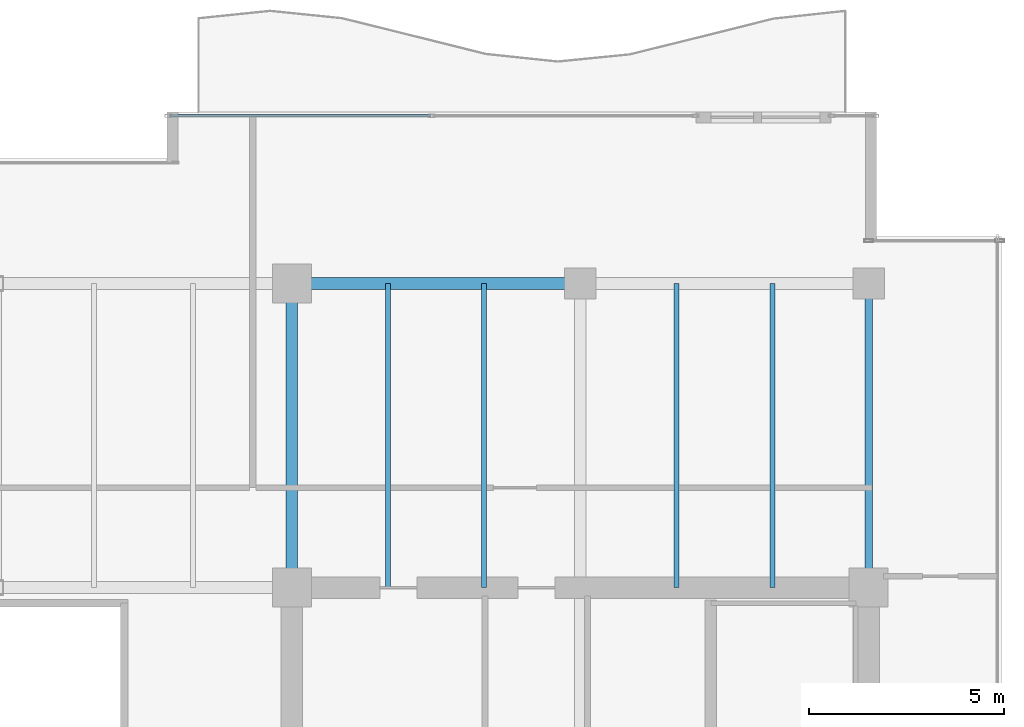
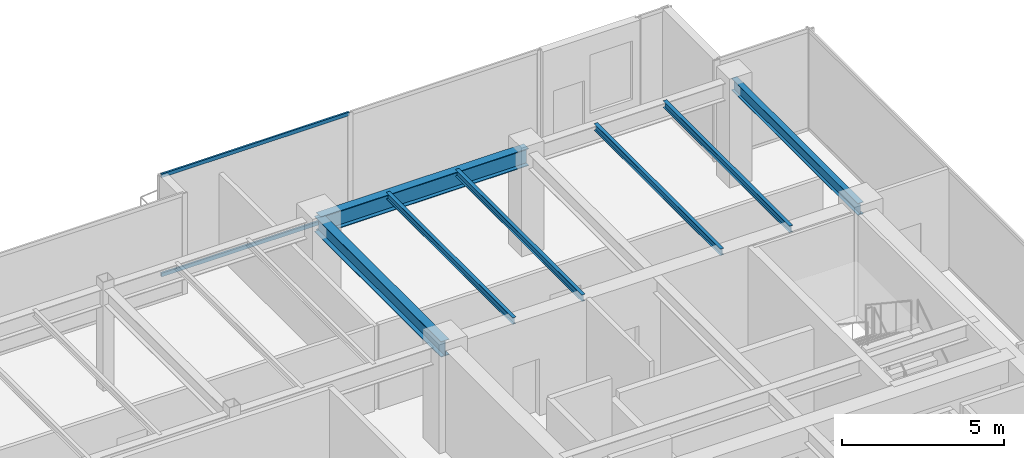
# One storey, part 20 of 34: 7 beams, 2 members, 1 element without a shape of its own.
"""IFC4 building model written with IfcOpenShell, lengths in metres."""

from ifc_helpers import new_model, si_unit, direction, frame, origin, origin_2d, place, context, subcontext, project, spatial, hollow_rectangle, i_section, extrude, source, transform, mapped, material, layer, layer_set, material_profile, profile_set, type_object, type_shapes, element, aggregate, save


model = new_model("IFC4")

# Units and contexts
model_context = context("Model", 3, precision=1e-05, world=origin(), true_north=direction((0.0, 1.0)))
body_context = subcontext(model_context, "Body", "Model", "MODEL_VIEW")
ifc_project = project(units=[si_unit("LENGTHUNIT", "METRE"), si_unit("AREAUNIT", "SQUARE_METRE"), si_unit("VOLUMEUNIT", "CUBIC_METRE"), si_unit("PLANEANGLEUNIT", "RADIAN"), si_unit("MASSUNIT", "GRAM", prefix="KILO")], contexts=[model_context])

# Site, building, storey
site_placement = place(None, origin())
site = spatial("IfcSite", under=ifc_project, at=site_placement, CompositionType="ELEMENT")
building_placement = place(site_placement, origin())
building = spatial("IfcBuilding", under=site, at=building_placement, Name="Haelvirn Gate Laboratories", CompositionType="ELEMENT")
storey_placement = place(building_placement, frame((0.0, 0.0, 246.5)))
storey = spatial("IfcBuildingStorey", under=building, at=storey_placement, Name="L59", CompositionType="ELEMENT", Elevation=246.5)

# Beams
ifc_material_1 = material(Name="Steel SM355", Category="steel")
ifc_material_profile_1 = material_profile(ifc_material_1, i_section(OverallWidth=0.300048828125, OverallDepth=0.587890625, WebThickness=0.011962890625, FlangeThickness=0.02001953125, at=origin_2d()), Name="H-588x300x12x20")
ifc_profile_set_1 = profile_set([ifc_material_profile_1], Name="Steel SM355")
beam_type_1 = type_object("IfcBeamType", Name="BM-G-588", PredefinedType="BEAM", material=ifc_profile_set_1)
shared_shape_1 = source(origin(), body_context, "Body", "SweptSolid", [
    extrude(i_section(OverallWidth=0.300048828125, OverallDepth=0.587890625, WebThickness=0.011962890625, FlangeThickness=0.02001953125, at=origin_2d()), origin(), (0.0, 0.0, 1.0), 7.800048828125),
])
type_shapes(beam_type_1, [shared_shape_1])
beam_1_placement = place(storey_placement, frame((52.60009765625, 33.800048828125, 3.506103515625), z_axis=(0.0, 1.0, 0.0), x_axis=(-1.0, 0.0, 0.0)))
element("IfcBeam", 1, at=beam_1_placement, inside=storey, type_object=beam_type_1, Name="L59 Frame Girder X52.6 (33.8-41.6)", PredefinedType="BEAM", context=body_context, shape_type="MappedRepresentation", body=[
    mapped(shared_shape_1, transform((0.0, 0.0, 0.0), scale=1.0)),
])
ifc_material_profile_2 = material_profile(ifc_material_1, i_section(OverallWidth=0.300048828125, OverallDepth=0.64990234375, WebThickness=0.012939453125, FlangeThickness=0.02197265625, at=origin_2d()), Name="H-650x300x13x22")
ifc_profile_set_2 = profile_set([ifc_material_profile_2], Name="Steel SM355")
beam_type_2 = type_object("IfcBeamType", Name="BM-G-650", PredefinedType="BEAM", material=ifc_profile_set_2)
shared_shape_2 = source(origin(), body_context, "Body", "SweptSolid", [
    extrude(i_section(OverallWidth=0.300048828125, OverallDepth=0.64990234375, WebThickness=0.012939453125, FlangeThickness=0.02197265625, at=origin_2d()), origin(), (0.0, 0.0, 1.0), 7.39990234375),
])
type_shapes(beam_type_2, [shared_shape_2])
beam_2_placement = place(storey_placement, frame((52.60009765625, 41.60009765625, 3.47509765625), z_axis=(1.0, 0.0, 0.0), x_axis=(0.0, 1.0, 0.0)))
element("IfcBeam", 2, at=beam_2_placement, inside=storey, type_object=beam_type_2, Name="L59 Primary Girder Y41.6 (52.6-60.0)", PredefinedType="BEAM", context=body_context, shape_type="MappedRepresentation", body=[
    mapped(shared_shape_2, transform((0.0, 0.0, 0.0), scale=1.0)),
])
ifc_material_profile_3 = material_profile(ifc_material_1, i_section(OverallWidth=0.199951171875, OverallDepth=0.449951171875, WebThickness=0.009033203125, FlangeThickness=0.013916015625, at=origin_2d()), Name="H-450x200x9x14")
ifc_profile_set_3 = profile_set([ifc_material_profile_3], Name="Steel SM355")
beam_type_3 = type_object("IfcBeamType", Name="BM-SP-450", PredefinedType="SPANDREL", material=ifc_profile_set_3)
shared_shape_3 = source(origin(), body_context, "Body", "SweptSolid", [
    extrude(i_section(OverallWidth=0.199951171875, OverallDepth=0.449951171875, WebThickness=0.009033203125, FlangeThickness=0.013916015625, at=origin_2d()), origin(), (0.0, 0.0, 1.0), 7.800048828125),
])
type_shapes(beam_type_3, [shared_shape_3])
beam_3_placement = place(storey_placement, frame((67.39990234375, 33.800048828125, 3.574951171875), z_axis=(0.0, 1.0, 0.0), x_axis=(-1.0, 0.0, 0.0)))
element("IfcBeam", 3, at=beam_3_placement, inside=storey, type_object=beam_type_3, Name="L59 Perimeter Spandrel X67.4 (33.8-41.6)", PredefinedType="SPANDREL", context=body_context, shape_type="MappedRepresentation", body=[
    mapped(shared_shape_3, transform((0.0, 0.0, 0.0), scale=1.0)),
])
ifc_material_profile_4 = material_profile(ifc_material_1, i_section(OverallWidth=0.125, OverallDepth=0.25, WebThickness=0.006103515625, FlangeThickness=0.009033203125, at=origin_2d()), Name="H-250x125x6x9")
ifc_profile_set_4 = profile_set([ifc_material_profile_4], Name="Steel SM355")
beam_type_4 = type_object("IfcBeamType", Name="BM-J-250", PredefinedType="JOIST", material=ifc_profile_set_4)
shared_shape_4 = source(origin(), body_context, "Body", "SweptSolid", [
    extrude(i_section(OverallWidth=0.125, OverallDepth=0.25, WebThickness=0.006103515625, FlangeThickness=0.009033203125, at=origin_2d()), origin(), (0.0, 0.0, 1.0), 7.800048828125),
])
type_shapes(beam_type_4, [shared_shape_4])
for number, where, z_axis, x_axis, name in (
    (4, (55.070068359375, 33.800048828125, 3.675048828125), (0.0, 1.0, 0.0), (-1.0, 0.0, 0.0), "L59 Composite Lab Joist North X55.07"),
    (5, (57.530029296875, 33.800048828125, 3.675048828125), (0.0, 1.0, 0.0), (-1.0, 0.0, 0.0), "L59 Composite Lab Joist North X57.53"),
    (6, (62.469970703125, 33.800048828125, 3.675048828125), (0.0, 1.0, 0.0), (-1.0, 0.0, 0.0), "L59 Composite Lab Joist North X62.47"),
    (7, (64.929931640625, 33.800048828125, 3.675048828125), (0.0, 1.0, 0.0), (-1.0, 0.0, 0.0), "L59 Composite Lab Joist North X64.93"),
):
    element("IfcBeam", number, at=place(storey_placement, frame(where, z_axis=z_axis, x_axis=x_axis)), inside=storey, type_object=beam_type_4, Name=name, PredefinedType="JOIST", context=body_context, shape_type="MappedRepresentation", body=[
        mapped(shared_shape_4, transform((0.0, 0.0, 0.0), scale=1.0)),
    ])

# Curtain wall, members
ifc_material_2 = material(Name="Anodised bronze unitised aluminium & triple low-E glass", Category="aluminium")
ifc_layer = layer(ifc_material_2, 0.176025390625, Name="CW-SYS-4")
ifc_layer_set = layer_set([ifc_layer], Name="Anodised bronze unitised aluminium & triple low-E glass")
curtain_wall_type = type_object("IfcCurtainWallType", Name="CW-SYS-4", PredefinedType="NOTDEFINED", material=ifc_layer_set)
curtain_wall_placement = place(storey_placement, origin())
curtain_wall = element("IfcCurtainWall", 8, at=curtain_wall_placement, inside=storey, type_object=curtain_wall_type, Name="L59 Unitised Curtain Wall CW-L59-P0-E10-1", PredefinedType="NOTDEFINED")
ifc_material_3 = material(Name="Extruded aluminium 6063-T6 (anodised bronze)", Category="aluminium")
ifc_material_profile_5 = material_profile(ifc_material_3, hollow_rectangle(XDim=0.06494140625, YDim=0.139892578125, WallThickness=0.00390625, at=origin_2d()), Name="CWT-140x65x4")
ifc_profile_set_5 = profile_set([ifc_material_profile_5], Name="Extruded aluminium 6063-T6 (anodised bronze)")
member_type = type_object("IfcMemberType", Name="CWT-T140", PredefinedType="USERDEFINED", material=ifc_profile_set_5)
shared_shape_5 = source(origin(), body_context, "Body", "SweptSolid", [
    extrude(hollow_rectangle(XDim=0.06494140625, YDim=0.139892578125, WallThickness=0.00390625, at=origin_2d()), origin(), (0.0, 0.0, 1.0), 6.68505859375),
])
type_shapes(member_type, [shared_shape_5])
member_1_placement = place(storey_placement, frame((49.469970703125, 45.89990234375, 0.032470703125), z_axis=(1.0, 0.0, 0.0), x_axis=(0.0, 1.0, 0.0)))
member_1 = element("IfcMember", 9, at=member_1_placement, type_object=member_type, Name="CW4 transom 1.1", ObjectType="TRANSOM", PredefinedType="USERDEFINED", context=body_context, shape_type="MappedRepresentation", body=[
    mapped(shared_shape_5, transform((0.0, 0.0, 0.0), scale=1.0)),
])
member_2_placement = place(storey_placement, frame((49.469970703125, 45.89990234375, 3.767578125), z_axis=(1.0, 0.0, 0.0), x_axis=(0.0, 1.0, 0.0)))
member_2 = element("IfcMember", 10, at=member_2_placement, type_object=member_type, Name="CW4 transom 1.2", ObjectType="TRANSOM", PredefinedType="USERDEFINED", context=body_context, shape_type="MappedRepresentation", body=[
    mapped(shared_shape_5, transform((0.0, 0.0, 0.0), scale=1.0)),
])
aggregate(curtain_wall, [member_1, member_2])

save(model, "model.ifc")
